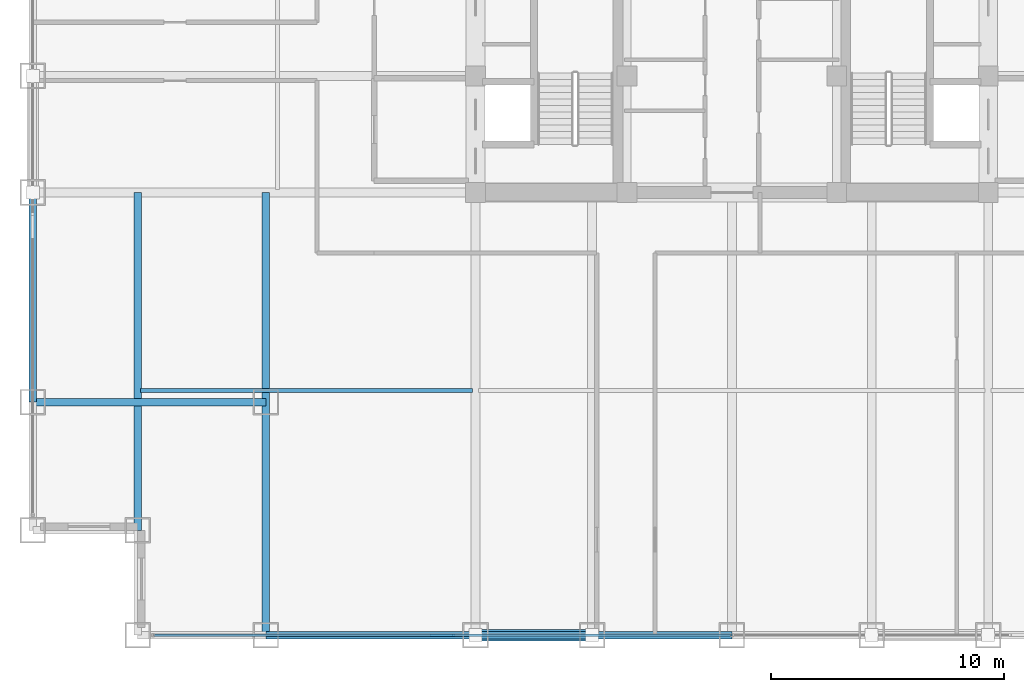
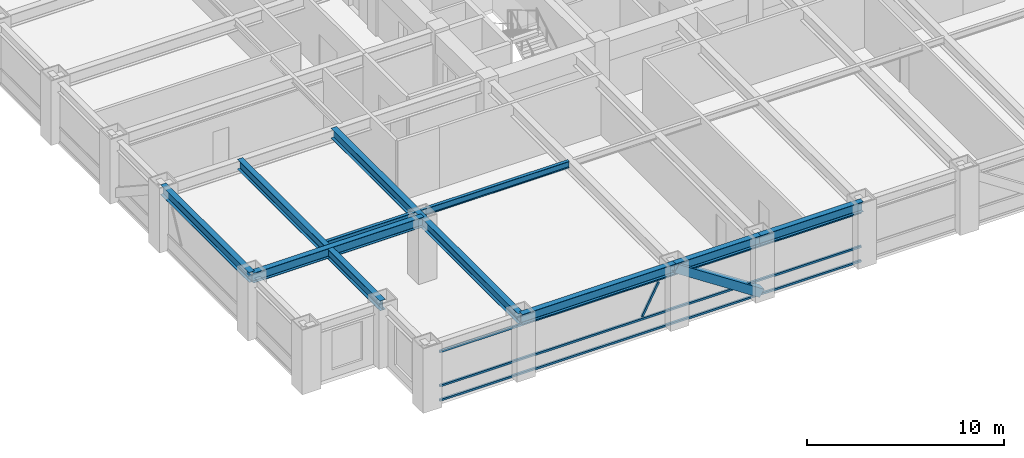
# One storey, part 3 of 24: 8 beams, 5 members, 1 element without a shape of its own.
"""IFC4 building model written with IfcOpenShell, lengths in metres."""

from ifc_helpers import new_model, si_unit, direction, frame, origin, origin_2d, place, context, subcontext, project, spatial, hollow_rectangle, i_section, extrude, source, transform, mapped, material, material_profile, profile_set, type_object, element, aggregate, save


model = new_model("IFC4")

# Units and contexts
model_context = context("Model", 3, precision=1e-05, world=origin(), true_north=direction((0.0, 1.0)))
body_context = subcontext(model_context, "Body", "Model", "MODEL_VIEW")
ifc_project = project(units=[si_unit("LENGTHUNIT", "METRE"), si_unit("AREAUNIT", "SQUARE_METRE"), si_unit("VOLUMEUNIT", "CUBIC_METRE"), si_unit("PLANEANGLEUNIT", "RADIAN"), si_unit("MASSUNIT", "GRAM", prefix="KILO")], contexts=[model_context])

# Site, building, storey
site_placement = place(None, origin())
site = spatial("IfcSite", under=ifc_project, at=site_placement, CompositionType="ELEMENT")
building_placement = place(site_placement, origin())
building = spatial("IfcBuilding", under=site, at=building_placement, Name="Khorayat Bourse Tower", CompositionType="ELEMENT")
storey_placement = place(building_placement, frame((0.0, 0.0, 167.10009765625)))
storey = spatial("IfcBuildingStorey", under=building, at=storey_placement, Name="L38", CompositionType="ELEMENT", Elevation=167.10009765625)

# Beams
ifc_material_1 = material(Name="Steel ASTM A992 Grade 50", Category="steel")
ifc_material_profile_1 = material_profile(ifc_material_1, i_section(OverallWidth=0.324951171875, OverallDepth=0.615966796875, WebThickness=0.013916015625, FlangeThickness=0.021484375, FilletRadius=0.01611328125, at=origin_2d()), Name="W610X174")
ifc_profile_set_1 = profile_set([ifc_material_profile_1], Name="Steel ASTM A992 Grade 50")
beam_type_1 = type_object("IfcBeamType", Name="BM-GIRD-610", PredefinedType="BEAM", material=ifc_profile_set_1)
shared_shape_1 = source(origin(), body_context, "Body", "SweptSolid", [
    extrude(i_section(OverallWidth=0.324951171875, OverallDepth=0.615966796875, WebThickness=0.013916015625, FlangeThickness=0.021484375, FilletRadius=0.01611328125, at=origin_2d()), origin(), (0.0, 0.0, 1.0), 19.0),
])
beam_1_placement = place(storey_placement, frame((-20.0, -30.0, 3.471923828125), z_axis=(0.0, 1.0, 0.0), x_axis=(-1.0, 0.0, 0.0)))
element("IfcBeam", 1, at=beam_1_placement, inside=storey, type_object=beam_type_1, Name="L38 BM-GIRD-610 BM-L38-CNRY-084", PredefinedType="BEAM", context=body_context, shape_type="MappedRepresentation", body=[
    mapped(shared_shape_1, transform((0.0, 0.0, 0.0), scale=1.0)),
])
shared_shape_2 = source(origin(), body_context, "Body", "SweptSolid", [
    extrude(i_section(OverallWidth=0.324951171875, OverallDepth=0.615966796875, WebThickness=0.013916015625, FlangeThickness=0.021484375, FilletRadius=0.01611328125, at=origin_2d()), origin(), (0.0, 0.0, 1.0), 14.5),
])
beam_2_placement = place(storey_placement, frame((-25.5, -25.5, 3.471923828125), z_axis=(0.0, 1.0, 0.0), x_axis=(-1.0, 0.0, 0.0)))
element("IfcBeam", 2, at=beam_2_placement, inside=storey, type_object=beam_type_1, Name="L38 BM-GIRD-610 BM-L38-CNRY-088", PredefinedType="BEAM", context=body_context, shape_type="MappedRepresentation", body=[
    mapped(shared_shape_2, transform((0.0, 0.0, 0.0), scale=1.0)),
])
shared_shape_3 = source(origin(), body_context, "Body", "SweptSolid", [
    extrude(i_section(OverallWidth=0.324951171875, OverallDepth=0.615966796875, WebThickness=0.013916015625, FlangeThickness=0.021484375, FilletRadius=0.01611328125, at=origin_2d()), origin(), (0.0, 0.0, 1.0), 10.0),
])
beam_3_placement = place(storey_placement, frame((-30.0, -20.0, 3.471923828125), z_axis=(1.0, 0.0, 0.0), x_axis=(0.0, 1.0, 0.0)))
element("IfcBeam", 3, at=beam_3_placement, inside=storey, type_object=beam_type_1, Name="L38 BM-GIRD-610 BM-L38-CNRX-093", PredefinedType="BEAM", context=body_context, shape_type="MappedRepresentation", body=[
    mapped(shared_shape_3, transform((0.0, 0.0, 0.0), scale=1.0)),
])
ifc_material_profile_2 = material_profile(ifc_material_1, i_section(OverallWidth=0.180908203125, OverallDepth=0.4169921875, WebThickness=0.010986328125, FlangeThickness=0.018310546875, FilletRadius=0.011962890625, at=origin_2d()), Name="W410X85")
ifc_profile_set_2 = profile_set([ifc_material_profile_2], Name="Steel ASTM A992 Grade 50")
beam_type_2 = type_object("IfcBeamType", Name="BM-JOIST-410", PredefinedType="JOIST", material=ifc_profile_set_2)
shared_shape_4 = source(origin(), body_context, "Body", "SweptSolid", [
    extrude(i_section(OverallWidth=0.180908203125, OverallDepth=0.4169921875, WebThickness=0.010986328125, FlangeThickness=0.018310546875, FilletRadius=0.011962890625, at=origin_2d()), origin(), (0.0, 0.0, 1.0), 14.240234375),
])
beam_4_placement = place(storey_placement, frame((-25.3701171875, -19.5, 3.5712890625), z_axis=(1.0, 0.0, 0.0), x_axis=(0.0, 1.0, 0.0)))
element("IfcBeam", 4, at=beam_4_placement, inside=storey, type_object=beam_type_2, Name="L38 BM-JOIST-410 BM-L38-JSTX-096", PredefinedType="JOIST", context=body_context, shape_type="MappedRepresentation", body=[
    mapped(shared_shape_4, transform((0.0, 0.0, 0.0), scale=1.0)),
])
ifc_material_profile_3 = material_profile(ifc_material_1, i_section(OverallWidth=0.324951171875, OverallDepth=0.615966796875, WebThickness=0.013916015625, FlangeThickness=0.021484375, FilletRadius=0.01611328125, at=origin_2d()), Name="W610X174")
ifc_profile_set_3 = profile_set([ifc_material_profile_3], Name="Steel ASTM A992 Grade 50")
beam_type_3 = type_object("IfcBeamType", Name="BM-SPAN-610", PredefinedType="SPANDREL", material=ifc_profile_set_3)
shared_shape_5 = source(origin(), body_context, "Body", "SweptSolid", [
    extrude(i_section(OverallWidth=0.324951171875, OverallDepth=0.615966796875, WebThickness=0.013916015625, FlangeThickness=0.021484375, FilletRadius=0.01611328125, at=origin_2d()), origin(), (0.0, 0.0, 1.0), 9.0),
])
for number, where, z_axis, x_axis, name in (
    (5, (-20.0, -30.0, 3.471923828125), (1.0, 0.0, 0.0), (0.0, 1.0, 0.0), "L38 BM-SPAN-610 BM-L38-SPN-025"),
    (6, (-30.0, -20.0, 3.471923828125), (0.0, 1.0, 0.0), (-1.0, 0.0, 0.0), "L38 BM-SPAN-610 BM-L38-SPN-060"),
):
    element("IfcBeam", number, at=place(storey_placement, frame(where, z_axis=z_axis, x_axis=x_axis)), inside=storey, type_object=beam_type_3, Name=name, PredefinedType="SPANDREL", context=body_context, shape_type="MappedRepresentation", body=[
        mapped(shared_shape_5, transform((0.0, 0.0, 0.0), scale=1.0)),
    ])
shared_shape_6 = source(origin(), body_context, "Body", "SweptSolid", [
    extrude(i_section(OverallWidth=0.324951171875, OverallDepth=0.615966796875, WebThickness=0.013916015625, FlangeThickness=0.021484375, FilletRadius=0.01611328125, at=origin_2d()), origin(), (0.0, 0.0, 1.0), 5.0),
])
beam_5_placement = place(storey_placement, frame((-11.0, -30.0, 3.471923828125), z_axis=(1.0, 0.0, 0.0), x_axis=(0.0, 1.0, 0.0)))
element("IfcBeam", 7, at=beam_5_placement, inside=storey, type_object=beam_type_3, Name="L38 BM-SPAN-610 BM-L38-SPN-026", PredefinedType="SPANDREL", context=body_context, shape_type="MappedRepresentation", body=[
    mapped(shared_shape_6, transform((0.0, 0.0, 0.0), scale=1.0)),
])
shared_shape_7 = source(origin(), body_context, "Body", "SweptSolid", [
    extrude(i_section(OverallWidth=0.324951171875, OverallDepth=0.615966796875, WebThickness=0.013916015625, FlangeThickness=0.021484375, FilletRadius=0.01611328125, at=origin_2d()), origin(), (0.0, 0.0, 1.0), 6.0),
])
beam_6_placement = place(storey_placement, frame((-6.0, -30.0, 3.471923828125), z_axis=(1.0, 0.0, 0.0), x_axis=(0.0, 1.0, 0.0)))
element("IfcBeam", 8, at=beam_6_placement, inside=storey, type_object=beam_type_3, Name="L38 BM-SPAN-610 BM-L38-SPN-027", PredefinedType="SPANDREL", context=body_context, shape_type="MappedRepresentation", body=[
    mapped(shared_shape_7, transform((0.0, 0.0, 0.0), scale=1.0)),
])

# Member
ifc_material_2 = material(Name="Steel EN 10025-4 S460M", Category="steel")
ifc_material_profile_4 = material_profile(ifc_material_2, hollow_rectangle(XDim=0.5, YDim=0.5, WallThickness=0.028076171875, at=origin_2d()), Name="HSS 500x500x28")
ifc_profile_set_4 = profile_set([ifc_material_profile_4], Name="Steel EN 10025-4 S460M")
member_type_1 = type_object("IfcMemberType", Name="MBR-TUBE-500", PredefinedType="BRACE", material=ifc_profile_set_4)
shared_shape_8 = source(origin(), body_context, "Body", "SweptSolid", [
    extrude(hollow_rectangle(XDim=0.5, YDim=0.5, WallThickness=0.028076171875, at=origin_2d()), origin(), (0.0, 0.0, 1.0), 5.979736328125),
])
member_1_placement = place(storey_placement, frame((-11.0, -30.0, 3.52978515625), z_axis=(0.836160261256, 0.0, -0.548485202623), x_axis=(0.0, 1.0, 0.0)))
element("IfcMember", 9, at=member_1_placement, inside=storey, type_object=member_type_1, Name="L38 Perimeter Tube Brace 01", PredefinedType="BRACE", context=body_context, shape_type="MappedRepresentation", body=[
    mapped(shared_shape_8, transform((0.0, 0.0, 0.0), scale=1.0)),
])

# Curtain wall, members
ifc_material_3 = material(Name="Aluminium EN AW-6063 T6", Category="aluminium")
curtain_wall_type = type_object("IfcCurtainWallType", Name="CW-SYS-03", PredefinedType="NOTDEFINED", material=ifc_material_3)
curtain_wall_placement = place(storey_placement, origin())
curtain_wall = element("IfcCurtainWall", 10, at=curtain_wall_placement, inside=storey, type_object=curtain_wall_type, Name="L38 Curtain Wall CW-L38-S1", PredefinedType="NOTDEFINED")
ifc_material_profile_5 = material_profile(ifc_material_3, hollow_rectangle(XDim=0.1201171875, YDim=0.1201171875, WallThickness=0.0048828125, at=origin_2d()), Name="ALU 120x120x5")
ifc_profile_set_5 = profile_set([ifc_material_profile_5], Name="Aluminium EN AW-6063 T6")
member_type_2 = type_object("IfcMemberType", Name="CWM-DIAG-120", PredefinedType="MULLION", material=ifc_profile_set_5)
shared_shape_9 = source(origin(), body_context, "Body", "SweptSolid", [
    extrude(hollow_rectangle(XDim=0.1201171875, YDim=0.1201171875, WallThickness=0.0048828125, at=origin_2d()), origin(), (0.0, 0.0, 1.0), 2.079345703125),
])
member_2_placement = place(storey_placement, frame((-12.904296875, -30.0, 1.08984375), z_axis=(0.465760949701, 0.0, 0.884910581773), x_axis=(0.0, 1.0, 0.0)))
member_2 = element("IfcMember", 11, at=member_2_placement, type_object=member_type_2, Name="CW-L38-S1 Faceted Diagonal Mullion 1", PredefinedType="MULLION", context=body_context, shape_type="MappedRepresentation", body=[
    mapped(shared_shape_9, transform((0.0, 0.0, 0.0), scale=1.0)),
])
ifc_material_profile_6 = material_profile(ifc_material_3, hollow_rectangle(XDim=0.1201171875, YDim=0.1201171875, WallThickness=0.0048828125, at=origin_2d()), Name="ALU 120x120x5")
ifc_profile_set_6 = profile_set([ifc_material_profile_6], Name="Aluminium EN AW-6063 T6")
member_type_3 = type_object("IfcMemberType", Name="CWT-HORZ-120", PredefinedType="USERDEFINED", material=ifc_profile_set_6)
shared_shape_10 = source(origin(), body_context, "Body", "SweptSolid", [
    extrude(hollow_rectangle(XDim=0.1201171875, YDim=0.1201171875, WallThickness=0.0048828125, at=origin_2d()), origin(), (0.0, 0.0, 1.0), 24.719970703125),
])
member_3_placement = place(storey_placement, frame((-24.780029296875, -30.0, 0.059814453125), z_axis=(1.0, 0.0, 0.0), x_axis=(0.0, 1.0, 0.0)))
member_3 = element("IfcMember", 12, at=member_3_placement, type_object=member_type_3, Name="CW-L38-S1 Horizontal Transom 1-1", ObjectType="TRANSOM", PredefinedType="USERDEFINED", context=body_context, shape_type="MappedRepresentation", body=[
    mapped(shared_shape_10, transform((0.0, 0.0, 0.0), scale=1.0)),
])
member_4_placement = place(storey_placement, frame((-24.780029296875, -30.0, 0.949951171875), z_axis=(1.0, 0.0, 0.0), x_axis=(0.0, 1.0, 0.0)))
member_4 = element("IfcMember", 13, at=member_4_placement, type_object=member_type_3, Name="CW-L38-S1 Horizontal Transom 1-2", ObjectType="TRANSOM", PredefinedType="USERDEFINED", context=body_context, shape_type="MappedRepresentation", body=[
    mapped(shared_shape_10, transform((0.0, 0.0, 0.0), scale=1.0)),
])
member_5_placement = place(storey_placement, frame((-24.780029296875, -30.0, 3.06982421875), z_axis=(1.0, 0.0, 0.0), x_axis=(0.0, 1.0, 0.0)))
member_5 = element("IfcMember", 14, at=member_5_placement, type_object=member_type_3, Name="CW-L38-S1 Horizontal Transom 1-3", ObjectType="TRANSOM", PredefinedType="USERDEFINED", context=body_context, shape_type="MappedRepresentation", body=[
    mapped(shared_shape_10, transform((0.0, 0.0, 0.0), scale=1.0)),
])
aggregate(curtain_wall, [member_3, member_4, member_5, member_2])

save(model, "model.ifc")
